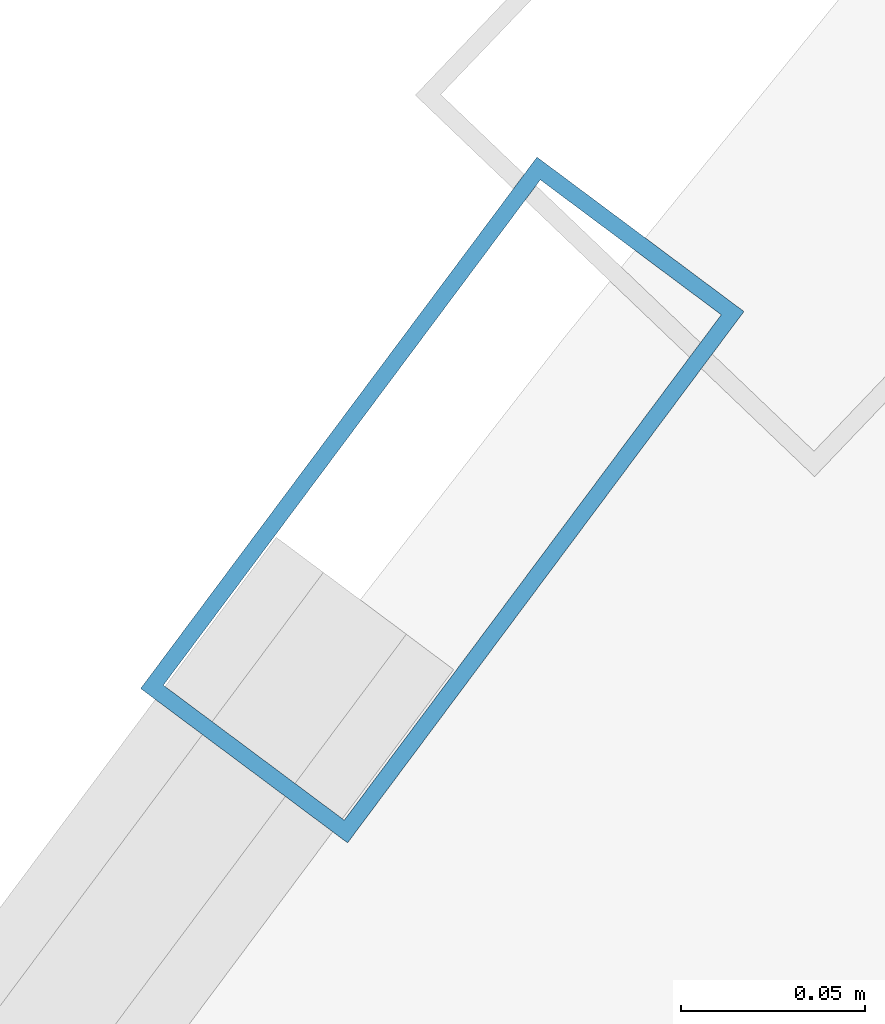
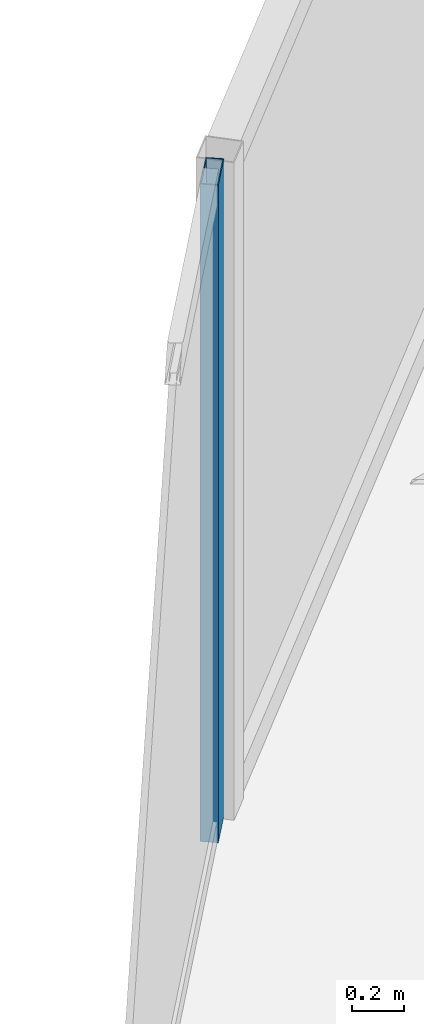
# One storey, part 22 of 31: 1 member, 1 element without a shape of its own.
"""IFC4 building model written with IfcOpenShell, lengths in metres."""

from ifc_helpers import new_model, si_unit, direction, frame, origin, origin_2d, place, context, subcontext, project, spatial, hollow_rectangle, extrude, material, layer, layer_set, material_profile, profile_set, type_object, element, aggregate, save


model = new_model("IFC4")

# Units and contexts
model_context = context("Model", 3, precision=1e-05, world=origin(), true_north=direction((0.0, 1.0)))
body_context = subcontext(model_context, "Body", "Model", "MODEL_VIEW")
ifc_project = project(units=[si_unit("LENGTHUNIT", "METRE"), si_unit("AREAUNIT", "SQUARE_METRE"), si_unit("VOLUMEUNIT", "CUBIC_METRE"), si_unit("PLANEANGLEUNIT", "RADIAN"), si_unit("MASSUNIT", "GRAM", prefix="KILO")], contexts=[model_context])

# Site, building, storey
site_placement = place(None, origin())
site = spatial("IfcSite", under=ifc_project, at=site_placement, CompositionType="ELEMENT")
building_placement = place(site_placement, origin())
building = spatial("IfcBuilding", under=site, at=building_placement, Name="Orvanel Arch Residences", CompositionType="ELEMENT")
storey_placement = place(building_placement, frame((0.0, 0.0, 153.949951171875)))
storey = spatial("IfcBuildingStorey", under=building, at=storey_placement, Name="L43", CompositionType="ELEMENT", Elevation=153.949951171875)

# Curtain wall, member
ifc_material = material(Name="Bronze-anodised aluminium AA6063-T6", Category="aluminium")
ifc_layer = layer(ifc_material, 0.179931640625)
ifc_layer_set = layer_set([ifc_layer], Name="Bronze-anodised aluminium AA6063-T6")
curtain_wall_type = type_object("IfcCurtainWallType", Name="CW3-MID-SYS", PredefinedType="NOTDEFINED", material=ifc_layer_set)
curtain_wall_placement = place(storey_placement, origin())
curtain_wall = element("IfcCurtainWall", 1, at=curtain_wall_placement, inside=storey, type_object=curtain_wall_type, Name="L43 CW3-MID-SYS Unitised Curtain Wall", PredefinedType="NOTDEFINED")
ifc_material_profile = material_profile(ifc_material, hollow_rectangle(XDim=0.070068359375, YDim=0.179931640625, WallThickness=0.00439453125, at=origin_2d()), Name="ALU180x70x4.5")
ifc_profile_set = profile_set([ifc_material_profile], Name="Bronze-anodised aluminium AA6063-T6")
member_type = type_object("IfcMemberType", Name="MUL-180x70", PredefinedType="MULLION", material=ifc_profile_set)
member_placement = place(storey_placement, frame((27.1611328125, 42.824951171875, 0.0), z_axis=(0.0, 0.0, 1.0), x_axis=(0.801562009751, -0.597911652775, 0.0)))
member = element("IfcMember", 2, at=member_placement, type_object=member_type, Name="CW-S3 mullion 1", PredefinedType="MULLION", context=body_context, shape_type="SweptSolid", body=[
    extrude(hollow_rectangle(XDim=0.070068359375, YDim=0.179931640625, WallThickness=0.00439453125, at=origin_2d()), origin(), (0.0, 0.0, 1.0), 3.06005859375),
])
aggregate(curtain_wall, [member])

save(model, "model.ifc")
